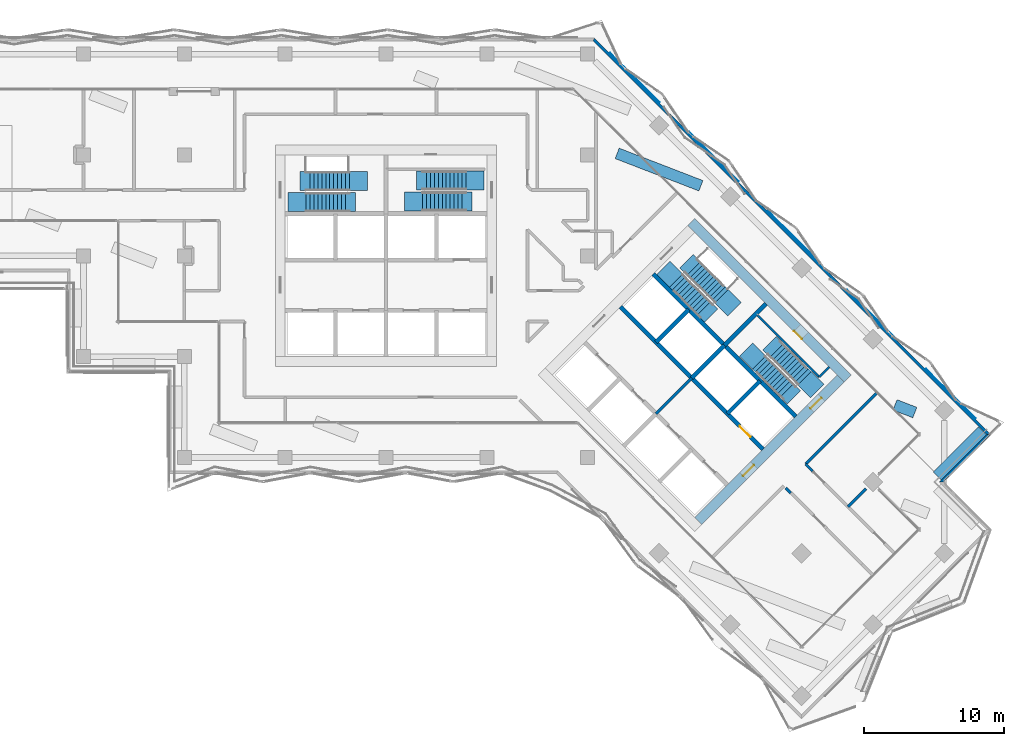
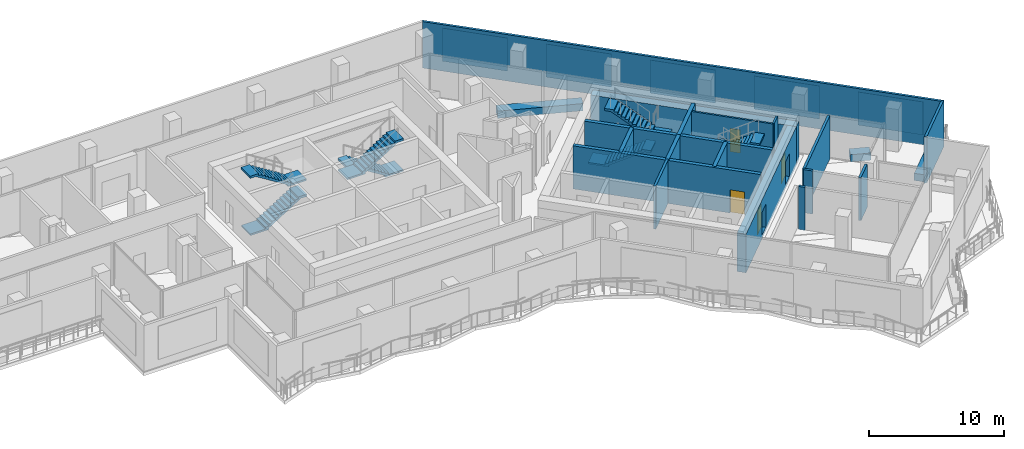
# One storey, part 13 of 23: 21 walls, 8 stair flights, 5 plates, 4 doors, 4 openings, 4 elements without a shape of their own.
"""IFC4 building model written with IfcOpenShell, lengths in metres."""

from ifc_helpers import new_model, si_unit, direction, frame, frame_2d, origin, place, context, subcontext, project, spatial, polyline, rectangle, outline, extrude, material, layer, layer_set, type_object, element, fill, aggregate, save


model = new_model("IFC4")

# Units and contexts
model_context = context("Model", 3, precision=1e-05, world=origin(), true_north=direction((0.0, 1.0)))
body_context = subcontext(model_context, "Body", "Model", "MODEL_VIEW")
ifc_project = project(units=[si_unit("LENGTHUNIT", "METRE"), si_unit("AREAUNIT", "SQUARE_METRE"), si_unit("VOLUMEUNIT", "CUBIC_METRE"), si_unit("PLANEANGLEUNIT", "RADIAN"), si_unit("MASSUNIT", "GRAM", prefix="KILO")], contexts=[model_context])

# Plate
ifc_material_1 = material(Name="Aluminium louvre", Category="aluminium")
ifc_layer_1 = layer(ifc_material_1, 0.05)
ifc_layer_set_1 = layer_set([ifc_layer_1], Name="Belt louvre panel 5000x3000")
plate_type = type_object("IfcPlateType", Name="Belt louvre panel 5000x3000", PredefinedType="SHEET", material=ifc_layer_set_1)
site_placement = place(None, origin())
building_placement = place(site_placement, origin())
storey_placement = place(building_placement, frame((0.0, 0.0, 122.0)))
plate_1_placement = place(storey_placement, frame((106.8914, 46.0057, 0.75), z_axis=(0.7070967812, 0.7071167811, 0.0), x_axis=(-0.7071167811, 0.7070967812, 0.0)))
plate_1 = element("IfcPlate", 1, at=plate_1_placement, type_object=plate_type, Name="Belt louvre panel L33 5.1", PredefinedType="SHEET", context=body_context, shape_type="SweptSolid", body=[
    extrude(outline(polyline([(0.0, 0.0), (5.0, 0.0), (5.0, 3.0), (0.0, 3.0), (0.0, 0.0)])), origin(), (0.0, 0.0, -1.0), 0.05),
])

plate_2_placement = place(storey_placement, frame((101.2508, 51.6463, 0.75), z_axis=(0.7070967812, 0.7071167811, 0.0), x_axis=(-0.7071167811, 0.7070967812, 0.0)))
plate_2 = element("IfcPlate", 2, at=plate_2_placement, type_object=plate_type, Name="Belt louvre panel L33 6.2", PredefinedType="SHEET", context=body_context, shape_type="SweptSolid", body=[
    extrude(outline(polyline([(0.0, 0.0), (5.0, 0.0), (5.0, 3.0), (0.0, 3.0), (0.0, 0.0)])), origin(), (0.0, 0.0, -1.0), 0.05),
])

plate_3_placement = place(storey_placement, frame((95.6102, 57.2869, 0.75), z_axis=(0.7070967812, 0.7071167811, 0.0), x_axis=(-0.7071167811, 0.7070967812, 0.0)))
plate_3 = element("IfcPlate", 3, at=plate_3_placement, type_object=plate_type, Name="Belt louvre panel L33 7.3", PredefinedType="SHEET", context=body_context, shape_type="SweptSolid", body=[
    extrude(outline(polyline([(0.0, 0.0), (5.0, 0.0), (5.0, 3.0), (0.0, 3.0), (0.0, 0.0)])), origin(), (0.0, 0.0, -1.0), 0.05),
])

plate_4_placement = place(storey_placement, frame((89.9697, 62.9274, 0.75), z_axis=(0.7070967812, 0.7071167811, 0.0), x_axis=(-0.7071167811, 0.7070967812, 0.0)))
plate_4 = element("IfcPlate", 4, at=plate_4_placement, type_object=plate_type, Name="Belt louvre panel L33 8.4", PredefinedType="SHEET", context=body_context, shape_type="SweptSolid", body=[
    extrude(outline(polyline([(0.0, 0.0), (5.0, 0.0), (5.0, 3.0), (0.0, 3.0), (0.0, 0.0)])), origin(), (0.0, 0.0, -1.0), 0.05),
])

plate_5_placement = place(storey_placement, frame((84.3291, 68.568, 0.75), z_axis=(0.7070967812, 0.7071167811, 0.0), x_axis=(-0.7071167811, 0.7070967812, 0.0)))
plate_5 = element("IfcPlate", 5, at=plate_5_placement, type_object=plate_type, Name="Belt louvre panel L33 9.5", PredefinedType="SHEET", context=body_context, shape_type="SweptSolid", body=[
    extrude(outline(polyline([(0.0, 0.0), (5.0, 0.0), (5.0, 3.0), (0.0, 3.0), (0.0, 0.0)])), origin(), (0.0, 0.0, -1.0), 0.05),
])

# Site, building, storey
site = spatial("IfcSite", under=ifc_project, at=site_placement, CompositionType="ELEMENT")
building = spatial("IfcBuilding", under=site, at=building_placement, Name="Windrow Commons", CompositionType="ELEMENT")
storey = spatial("IfcBuildingStorey", under=building, at=storey_placement, Name="L33", CompositionType="ELEMENT", Elevation=122.0)

# Wall
ifc_material_2 = material(Name="Concrete C40/50 precast screen panel", Category="concrete")
ifc_layer_2 = layer(ifc_material_2, 0.2)
ifc_layer_set_2 = layer_set([ifc_layer_2], Name="Belt screen wall 200")
wall_type_1 = type_object("IfcWallType", Name="Belt screen wall 200", PredefinedType="SOLIDWALL", material=ifc_layer_set_2)
wall_1_placement = place(storey_placement, frame((104.4437, 41.453, 0.0), z_axis=(0.0, 0.0, 1.0), x_axis=(0.7071067812, 0.7071067812, 0.0)))
element("IfcWall", 6, at=wall_1_placement, inside=storey, type_object=wall_type_1, Name="Belt screen wall L33 3", PredefinedType="SOLIDWALL", context=body_context, shape_type="SweptSolid", body=[
    extrude(outline(polyline([(0.1, -0.1), (4.9, -0.1), (4.7, 0.1), (-0.1, 0.1), (0.1, -0.1)])), origin(), (0.0, 0.0, 1.0), 4.2),
])

wall_2_placement = place(storey_placement, frame((107.8378, 44.8471, 0.0), z_axis=(0.0, 0.0, 1.0), x_axis=(-0.7071067812, 0.7071067812, 0.0)))
wall_2 = element("IfcWall", 7, at=wall_2_placement, inside=storey, type_object=wall_type_1, Name="Belt screen wall L33 5", PredefinedType="SOLIDWALL", context=body_context, shape_type="SweptSolid", body=[
    extrude(outline(polyline([(-0.1, -0.1), (39.9263, -0.1), (39.8435, 0.1), (0.1, 0.1), (-0.1, -0.1)])), origin(), (0.0, 0.0, 1.0), 4.2),
])

aggregate(wall_2, [plate_1, plate_2, plate_3, plate_4, plate_5])

# Walls
ifc_material_3 = material(Name="Blockwork partition", Category="masonry")
ifc_layer_3 = layer(ifc_material_3, 0.2)
ifc_layer_set_3 = layer_set([ifc_layer_3], Name="Fire lobby partition 200")
wall_type_2 = type_object("IfcWallType", Name="Fire lobby partition 200", PredefinedType="PARTITIONING", material=ifc_layer_set_3)
wall_3_placement = place(storey_placement, frame((84.079, 46.332, 0.0), z_axis=(0.0, 0.0, 1.0), x_axis=(0.7071067812, 0.7071067812, 0.0)))
element("IfcWall", 8, at=wall_3_placement, inside=storey, type_object=wall_type_2, Name="W-core-lobby-B-L33", PredefinedType="PARTITIONING", context=body_context, shape_type="SweptSolid", body=[
    extrude(rectangle(XDim=3.6, YDim=0.2, at=frame_2d((1.8, 0.0))), origin(), (0.0, 0.0, 1.0), 3.9),
])
ifc_material_4 = material(Name="Blockwork partition", Category="masonry")
ifc_layer_4 = layer(ifc_material_4, 0.2)
ifc_layer_set_4 = layer_set([ifc_layer_4], Name="IW-CORRIDOR-200")
wall_type_3 = type_object("IfcWallType", Name="IW-CORRIDOR-200", PredefinedType="PARTITIONING", material=ifc_layer_set_4)
wall_4_placement = place(storey_placement, frame((94.757, 42.727, 0.0), z_axis=(0.0, 0.0, 1.0), x_axis=(0.7069672711, 0.7072462637, 0.0)))
element("IfcWall", 9, at=wall_4_placement, inside=storey, type_object=wall_type_3, Name="W-L33-W010", PredefinedType="PARTITIONING", context=body_context, shape_type="SweptSolid", body=[
    extrude(rectangle(XDim=7.1686, YDim=0.2, at=frame_2d((3.5843, 0.0))), origin(), (0.0, 0.0, 1.0), 3.9),
])
wall_5_placement = place(storey_placement, frame((94.758, 42.726, 0.0), z_axis=(0.0, 0.0, 1.0), x_axis=(0.7056768426, -0.7085338339, 0.0)))
element("IfcWall", 10, at=wall_5_placement, inside=storey, type_object=wall_type_3, Name="W-L33-W057", PredefinedType="PARTITIONING", context=body_context, shape_type="SweptSolid", body=[
    extrude(rectangle(XDim=0.7, YDim=0.2, at=frame_2d((0.35, 0.0))), origin(), (0.0, 0.0, 1.0), 3.9),
])
wall_6_placement = place(storey_placement, frame((93.3429, 41.0289, 0.0), z_axis=(0.0, 0.0, 1.0), x_axis=(0.7091070712, -0.7051008166, 0.0)))
element("IfcWall", 11, at=wall_6_placement, inside=storey, type_object=wall_type_3, Name="W-L33-W064", PredefinedType="PARTITIONING", context=body_context, shape_type="SweptSolid", body=[
    extrude(rectangle(XDim=0.4992, YDim=0.2, at=frame_2d((0.2496, 0.0))), origin(), (0.0, 0.0, 1.0), 3.9),
])
ifc_material_5 = material(Name="Blockwork partition", Category="masonry")
ifc_layer_5 = layer(ifc_material_5, 0.2)
ifc_layer_set_5 = layer_set([ifc_layer_5], Name="IW-PARTY-200")
wall_type_4 = type_object("IfcWallType", Name="IW-PARTY-200", PredefinedType="PARTITIONING", material=ifc_layer_set_5)
wall_7_placement = place(storey_placement, frame((97.796, 39.686, 0.0), z_axis=(0.0, 0.0, 1.0), x_axis=(0.7071067812, 0.7071067812, 0.0)))
element("IfcWall", 12, at=wall_7_placement, inside=storey, type_object=wall_type_4, Name="W-L33-W038", PredefinedType="PARTITIONING", context=body_context, shape_type="SweptSolid", body=[
    extrude(rectangle(XDim=1.7932, YDim=0.2, at=frame_2d((0.8966, 0.0))), origin(), (0.0, 0.0, 1.0), 3.9),
])
ifc_material_6 = material(Name="Concrete C30/37 planter wall", Category="concrete")
ifc_layer_6 = layer(ifc_material_6, 0.8)
ifc_layer_set_6 = layer_set([ifc_layer_6], Name="Planter 800x600")
wall_type_5 = type_object("IfcWallType", Name="Planter 800x600", PredefinedType="SOLIDWALL", material=ifc_layer_set_6)
wall_8_placement = place(storey_placement, frame((104.1608, 41.8772, 0.0), z_axis=(0.0, 0.0, 1.0), x_axis=(0.7071177646, 0.7070957976, 0.0)))
element("IfcWall", 13, at=wall_8_placement, inside=storey, type_object=wall_type_5, Name="PLANTER TR-L33-1.8", PredefinedType="SOLIDWALL", context=body_context, shape_type="SweptSolid", body=[
    extrude(rectangle(XDim=4.5523, YDim=0.8, at=frame_2d((2.2761, 0.0))), origin(), (0.0, 0.0, 1.0), 0.65),
])
wall_9_placement = place(storey_placement, frame((87.2823, 62.5985, 0.0), z_axis=(0.0, 0.0, 1.0), x_axis=(-0.9328056398, 0.360379853, 0.0)))
element("IfcWall", 14, at=wall_9_placement, inside=storey, type_object=wall_type_5, Name="PLANTER TR-L33-1 bed 2", PredefinedType="SOLIDWALL", context=body_context, shape_type="SweptSolid", body=[
    extrude(rectangle(XDim=6.4132, YDim=0.8, at=frame_2d((3.2066, 0.0))), origin(), (0.0, 0.0, 1.0), 0.65),
])
wall_10_placement = place(storey_placement, frame((102.5558, 46.4066, 0.0), z_axis=(0.0, 0.0, 1.0), x_axis=(-0.9328142082, 0.3603576737, 0.0)))
element("IfcWall", 15, at=wall_10_placement, inside=storey, type_object=wall_type_5, Name="PLANTER TR-L33-1 bed 5", PredefinedType="SOLIDWALL", context=body_context, shape_type="SweptSolid", body=[
    extrude(rectangle(XDim=1.521, YDim=0.8, at=frame_2d((0.7605, 0.0))), origin(), (0.0, 0.0, 1.0), 0.65),
])

# Wall, opening, door
ifc_material_7 = material(Name="Concrete C50/60", Category="concrete")
ifc_layer_7 = layer(ifc_material_7, 0.7)
ifc_layer_set_7 = layer_set([ifc_layer_7], Name="RC CORE WALL 700 C50/60")
wall_type_6 = type_object("IfcWallType", Name="RC CORE WALL 700 C50/60", PredefinedType="SHEAR", material=ifc_layer_set_7)
wall_11_placement = place(storey_placement, frame((86.5893, 60.0145, -0.3), z_axis=(0.0, 0.0, 1.0), x_axis=(0.7071099457, -0.7071036166, 0.0)))
wall_11 = element("IfcWall", 16, at=wall_11_placement, inside=storey, type_object=wall_type_6, Name="Core B wall outer-N", PredefinedType="SHEAR", context=body_context, shape_type="SweptSolid", body=[
    extrude(rectangle(XDim=15.7999, YDim=0.7, at=frame_2d((7.8999, 0.0))), origin(), (0.0, 0.0, 1.0), 3.5),
])
opening_1_placement = place(wall_11_placement, frame((10.7, 0.0, 0.3)))
opening_1 = element("IfcOpeningElement", 17, at=opening_1_placement, cuts=wall_11, Name="Opening D9", PredefinedType="OPENING", context=body_context, shape_type="SweptSolid", body=[
    extrude(rectangle(XDim=0.8, YDim=2.1, at=frame_2d((0.4, 1.05))), frame((0.0, 0.36, 0.0), z_axis=(0.0, -1.0, 0.0), x_axis=(1.0, 0.0, 0.0)), (0.0, 0.0, 1.0), 0.72),
])
ifc_material_8 = material(Name="Steel fire door leaf", Category="steel")
door_type_1 = type_object("IfcDoorType", Name="Riser access door 800", OperationType="SINGLE_SWING_LEFT", PredefinedType="DOOR", material=ifc_material_8)
door_1_placement = place(opening_1_placement, origin())
door_1 = element("IfcDoor", 18, at=door_1_placement, inside=storey, type_object=door_type_1, Name="Riser access door", OperationType="SINGLE_SWING_RIGHT", OverallHeight=2.1, OverallWidth=0.8, PredefinedType="DOOR", context=body_context, shape_type="SweptSolid", body=[
    extrude(rectangle(XDim=0.8, YDim=2.1, at=frame_2d((0.4, 1.05))), frame((0.0, -0.29, 0.0), z_axis=(0.0, -1.0, 0.0), x_axis=(1.0, 0.0, 0.0)), (0.0, 0.0, 1.0), 0.05),
])
fill(opening_1, door_1)

# Wall, openings, doors
wall_12_placement = place(storey_placement, frame((87.0842, 38.6599, -0.3), z_axis=(0.0, 0.0, 1.0), x_axis=(0.7071067812, 0.7071067812, 0.0)))
wall_12 = element("IfcWall", 19, at=wall_12_placement, inside=storey, type_object=wall_type_6, Name="Core B wall outer-E", PredefinedType="SHEAR", context=body_context, shape_type="SweptSolid", body=[
    extrude(rectangle(XDim=14.4001, YDim=0.7, at=frame_2d((7.2001, 0.0))), origin(), (0.0, 0.0, 1.0), 3.5),
])
opening_2_placement = place(wall_12_placement, frame((4.55, 0.0, 0.3)))
opening_2 = element("IfcOpeningElement", 20, at=opening_2_placement, cuts=wall_12, Name="Opening D6", PredefinedType="OPENING", context=body_context, shape_type="SweptSolid", body=[
    extrude(rectangle(XDim=1.1, YDim=2.1, at=frame_2d((0.55, 1.05))), frame((0.0, 0.36, 0.0), z_axis=(0.0, -1.0, 0.0), x_axis=(1.0, 0.0, 0.0)), (0.0, 0.0, 1.0), 0.72),
])
opening_3_placement = place(wall_12_placement, frame((11.35, 0.0, 0.3)))
opening_3 = element("IfcOpeningElement", 21, at=opening_3_placement, cuts=wall_12, Name="Opening D7", PredefinedType="OPENING", context=body_context, shape_type="SweptSolid", body=[
    extrude(rectangle(XDim=1.1, YDim=2.1, at=frame_2d((0.55, 1.05))), frame((0.0, 0.36, 0.0), z_axis=(0.0, -1.0, 0.0), x_axis=(1.0, 0.0, 0.0)), (0.0, 0.0, 1.0), 0.72),
])
ifc_material_9 = material(Name="Steel fire door leaf", Category="steel")
door_type_2 = type_object("IfcDoorType", Name="Core lobby door 1100", OperationType="SINGLE_SWING_LEFT", PredefinedType="DOOR", material=ifc_material_9)
door_2_placement = place(opening_2_placement, origin())
door_2 = element("IfcDoor", 22, at=door_2_placement, inside=storey, type_object=door_type_2, Name="Lift lobby door", OperationType="DOUBLE_DOOR_SINGLE_SWING", OverallHeight=2.1, OverallWidth=1.1, PredefinedType="DOOR", context=body_context, shape_type="SweptSolid", body=[
    extrude(rectangle(XDim=1.1, YDim=2.1, at=frame_2d((0.55, 1.05))), frame((0.0, 0.025, 0.0), z_axis=(0.0, -1.0, 0.0), x_axis=(1.0, 0.0, 0.0)), (0.0, 0.0, 1.0), 0.05),
])
fill(opening_2, door_2)
ifc_material_10 = material(Name="Steel fire door leaf", Category="steel")
door_type_3 = type_object("IfcDoorType", Name="Stair door 1100", OperationType="SINGLE_SWING_LEFT", PredefinedType="DOOR", material=ifc_material_10)
door_3_placement = place(opening_3_placement, origin())
door_3 = element("IfcDoor", 23, at=door_3_placement, inside=storey, type_object=door_type_3, Name="Stair door", OperationType="SINGLE_SWING_RIGHT", OverallHeight=2.1, OverallWidth=1.1, PredefinedType="DOOR", context=body_context, shape_type="SweptSolid", body=[
    extrude(rectangle(XDim=1.1, YDim=2.1, at=frame_2d((0.55, 1.05))), frame((0.0, 0.025, 0.0), z_axis=(0.0, -1.0, 0.0), x_axis=(1.0, 0.0, 0.0)), (0.0, 0.0, 1.0), 0.05),
])
fill(opening_3, door_3)

# Walls
ifc_material_11 = material(Name="Concrete C50/60", Category="concrete")
ifc_layer_8 = layer(ifc_material_11, 0.3)
ifc_layer_set_8 = layer_set([ifc_layer_8], Name="RC SHAFT WALL 300 C50/60")
wall_type_7 = type_object("IfcWallType", Name="RC SHAFT WALL 300 C50/60", PredefinedType="SOLIDWALL", material=ifc_layer_set_8)
wall_13_placement = place(storey_placement, frame((84.079, 51.4232, 0.0), z_axis=(0.0, 0.0, 1.0), x_axis=(0.7071219326, 0.7070916295, 0.0)))
element("IfcWall", 24, at=wall_13_placement, inside=storey, type_object=wall_type_7, Name="Core B wall shaft-N1", PredefinedType="SOLIDWALL", context=body_context, shape_type="SweptSolid", body=[
    extrude(rectangle(XDim=3.3, YDim=0.3, at=frame_2d((1.65, 0.0))), origin(), (0.0, 0.0, 1.0), 3.9),
])
for number, where, z_axis, x_axis, name in (
    (25, (86.6246, 48.8776, 0.0), (0.0, 0.0, 1.0), (0.7071067812, 0.7071067812, 0.0), "Core B wall shaft-N2"),
    (26, (89.1702, 46.332, 0.0), (0.0, 0.0, 1.0), (0.7071067812, 0.7071067812, 0.0), "Core B wall shaft-N3"),
):
    element("IfcWall", number, at=place(storey_placement, frame(where, z_axis=z_axis, x_axis=x_axis)), inside=storey, type_object=wall_type_7, Name=name, PredefinedType="SOLIDWALL", context=body_context, shape_type="SweptSolid", body=[
        extrude(rectangle(XDim=3.3001, YDim=0.3, at=frame_2d((1.6501, 0.0))), origin(), (0.0, 0.0, 1.0), 3.9),
    ])

# Wall, opening, door
wall_14_placement = place(storey_placement, frame((81.5335, 53.9688, 0.0), z_axis=(0.0, 0.0, 1.0), x_axis=(0.707103309, -0.7071102534, 0.0)))
wall_14 = element("IfcWall", 27, at=wall_14_placement, inside=storey, type_object=wall_type_7, Name="Core B wall lobby-N", PredefinedType="SOLIDWALL", context=body_context, shape_type="SweptSolid", body=[
    extrude(rectangle(XDim=14.4, YDim=0.3, at=frame_2d((7.2, 0.0))), origin(), (0.0, 0.0, 1.0), 3.9),
])
opening_4_placement = place(wall_14_placement, frame((12.05, 0.0, 0.0)))
opening_4 = element("IfcOpeningElement", 28, at=opening_4_placement, cuts=wall_14, Name="Opening LD", PredefinedType="OPENING", context=body_context, shape_type="SweptSolid", body=[
    extrude(rectangle(XDim=1.1, YDim=2.1, at=frame_2d((0.55, 1.05))), frame((0.0, 0.16, 0.0), z_axis=(0.0, -1.0, 0.0), x_axis=(1.0, 0.0, 0.0)), (0.0, 0.0, 1.0), 0.32),
])
ifc_material_12 = material(Name="Stainless steel door leaf", Category="steel")
door_type_4 = type_object("IfcDoorType", Name="Lift landing door 1100", OperationType="SLIDING_TO_LEFT", PredefinedType="DOOR", material=ifc_material_12)
door_4_placement = place(opening_4_placement, origin())
door_4 = element("IfcDoor", 29, at=door_4_placement, inside=storey, type_object=door_type_4, Name="Lift landing door", OperationType="SLIDING_TO_RIGHT", OverallHeight=2.1, OverallWidth=1.1, PredefinedType="DOOR", context=body_context, shape_type="SweptSolid", body=[
    extrude(rectangle(XDim=1.1, YDim=2.1, at=frame_2d((0.55, 1.05))), frame((0.0, 0.025, 0.0), z_axis=(0.0, -1.0, 0.0), x_axis=(1.0, 0.0, 0.0)), (0.0, 0.0, 1.0), 0.05),
])
fill(opening_4, door_4)

# Walls
for number, where, z_axis, x_axis, name in (
    (30, (83.8669, 56.3022, 0.0), (0.0, 0.0, 1.0), (0.7071137256, -0.7070998367, 0.0), "Core B wall stair-S"),
    (31, (88.9581, 51.2111, 0.0), (0.0, 0.0, 1.0), (0.7070998367, -0.7071137256, 0.0), "Core B wall stair-S2"),
):
    element("IfcWall", number, at=place(storey_placement, frame(where, z_axis=z_axis, x_axis=x_axis)), inside=storey, type_object=wall_type_7, Name=name, PredefinedType="SOLIDWALL", context=body_context, shape_type="SweptSolid", body=[
        extrude(rectangle(XDim=7.2, YDim=0.3, at=frame_2d((3.6, 0.0))), origin(), (0.0, 0.0, 1.0), 3.9),
    ])
wall_15_placement = place(storey_placement, frame((88.9581, 51.2111, 0.0), z_axis=(0.0, 0.0, 1.0), x_axis=(0.7071067812, 0.7071067812, 0.0)))
element("IfcWall", 32, at=wall_15_placement, inside=storey, type_object=wall_type_7, Name="Core B wall stair-mid", PredefinedType="SOLIDWALL", context=body_context, shape_type="SweptSolid", body=[
    extrude(rectangle(XDim=4.1999, YDim=0.3, at=frame_2d((2.1, 0.0))), origin(), (0.0, 0.0, 1.0), 3.9),
])
ifc_material_13 = material(Name="Blockwork partition", Category="masonry")
ifc_layer_9 = layer(ifc_material_13, 0.15)
ifc_layer_set_9 = layer_set([ifc_layer_9], Name="Riser partition 150")
wall_type_8 = type_object("IfcWallType", Name="Riser partition 150", PredefinedType="PARTITIONING", material=ifc_layer_set_9)
wall_16_placement = place(storey_placement, frame((91.3127, 53.3536, 0.0), z_axis=(0.0, 0.0, 1.0), x_axis=(0.7071147811, -0.7070987812, 0.0)))
element("IfcWall", 33, at=wall_16_placement, inside=storey, type_object=wall_type_8, Name="W-core-strip-B-L33", PredefinedType="PARTITIONING", context=body_context, shape_type="SweptSolid", body=[
    extrude(rectangle(XDim=6.25, YDim=0.15, at=frame_2d((3.125, 0.0))), origin(), (0.0, 0.0, 1.0), 3.9),
])
wall_17_placement = place(storey_placement, frame((95.7322, 48.9342, 0.0), z_axis=(0.0, 0.0, 1.0), x_axis=(0.7071067812, 0.7071067812, 0.0)))
element("IfcWall", 34, at=wall_17_placement, inside=storey, type_object=wall_type_8, Name="W-core-stripx-B-L33-1", PredefinedType="PARTITIONING", context=body_context, shape_type="SweptSolid", body=[
    extrude(rectangle(XDim=1.0199, YDim=0.15, at=frame_2d((0.51, 0.0))), origin(), (0.0, 0.0, 1.0), 3.9),
])

# Stair, stair flights
ifc_material_14 = material(Name="Concrete C40/50", Category="concrete")
stair_type = type_object("IfcStairType", Name="Core stair", PredefinedType="HALF_TURN_STAIR", material=ifc_material_14)
placement = place(storey_placement, origin())
stair_1 = element("IfcStair", 35, at=placement, inside=storey, type_object=stair_type, Name="L33 Exit stair A1 core A", PredefinedType="HALF_TURN_STAIR")
ifc_material_15 = material(Name="Concrete C40/50", Category="concrete")
stair_flight_type = type_object("IfcStairFlightType", Name="Core stair flight", PredefinedType="STRAIGHT", material=ifc_material_15)
stair_flight_1_placement = place(storey_placement, frame((59.1, 61.425, 0.0), z_axis=(0.0, 0.0, 1.0), x_axis=(1.0, 0.0, 0.0)))
stair_flight_1 = element("IfcStairFlight", 36, at=stair_flight_1_placement, type_object=stair_flight_type, Name="ST-A1 flight 1", NumberOfRisers=12, NumberOfTreads=11, PredefinedType="STRAIGHT", RiserHeight=0.175, TreadLength=0.28, context=body_context, shape_type="SweptSolid", body=[
    extrude(outline(polyline([(-1.3, -0.15), (-1.3, 0.0), (0.0, 0.0), (0.0, 0.175), (0.28, 0.175), (0.28, 0.35), (0.56, 0.35), (0.56, 0.525), (0.84, 0.525), (0.84, 0.7), (1.12, 0.7), (1.12, 0.875), (1.4, 0.875), (1.4, 1.05), (1.68, 1.05), (1.68, 1.225), (1.96, 1.225), (1.96, 1.4), (2.24, 1.4), (2.24, 1.575), (2.52, 1.575), (2.52, 1.75), (2.8, 1.75), (2.8, 1.925), (3.08, 1.925), (3.53, 1.925), (3.53, 1.725), (3.08, 1.725), (3.08, 1.7481), (0.283, 0.0), (0.283, -0.15), (-1.3, -0.15)])), frame((0.0, 0.675, 0.0), z_axis=(0.0, -1.0, 0.0), x_axis=(1.0, 0.0, 0.0)), (0.0, 0.0, 1.0), 1.35),
])
stair_flight_2_placement = place(storey_placement, frame((62.18, 62.925, 2.1), z_axis=(0.0, 0.0, 1.0), x_axis=(-1.0, 0.0, 0.0)))
stair_flight_2 = element("IfcStairFlight", 37, at=stair_flight_2_placement, type_object=stair_flight_type, Name="ST-A1 flight 2", NumberOfRisers=12, NumberOfTreads=11, PredefinedType="STRAIGHT", RiserHeight=0.175, TreadLength=0.28, context=body_context, shape_type="SweptSolid", body=[
    extrude(outline(polyline([(-1.3, -0.15), (-1.3, 0.0), (0.0, 0.0), (0.0, 0.175), (0.28, 0.175), (0.28, 0.35), (0.56, 0.35), (0.56, 0.525), (0.84, 0.525), (0.84, 0.7), (1.12, 0.7), (1.12, 0.875), (1.4, 0.875), (1.4, 1.05), (1.68, 1.05), (1.68, 1.225), (1.96, 1.225), (1.96, 1.4), (2.24, 1.4), (2.24, 1.575), (2.52, 1.575), (2.52, 1.75), (2.8, 1.75), (2.8, 1.925), (3.08, 1.925), (3.53, 1.925), (3.53, 1.725), (3.08, 1.725), (3.08, 1.7481), (0.283, 0.0), (0.283, -0.15), (-1.3, -0.15)])), frame((0.0, 0.675, 0.0), z_axis=(0.0, -1.0, 0.0), x_axis=(1.0, 0.0, 0.0)), (0.0, 0.0, 1.0), 1.35),
])
aggregate(stair_1, [stair_flight_1, stair_flight_2])

stair_2 = element("IfcStair", 38, at=placement, inside=storey, type_object=stair_type, Name="L33 Exit stair A2 core A", PredefinedType="HALF_TURN_STAIR")
stair_flight_3_placement = place(storey_placement, frame((70.5, 62.98, 0.0), z_axis=(0.0, 0.0, 1.0), x_axis=(-1.0, 0.0, 0.0)))
stair_flight_3 = element("IfcStairFlight", 39, at=stair_flight_3_placement, type_object=stair_flight_type, Name="ST-A2 flight 1", NumberOfRisers=12, NumberOfTreads=11, PredefinedType="STRAIGHT", RiserHeight=0.175, TreadLength=0.28, context=body_context, shape_type="SweptSolid", body=[
    extrude(outline(polyline([(-1.3, -0.15), (-1.3, 0.0), (0.0, 0.0), (0.0, 0.175), (0.28, 0.175), (0.28, 0.35), (0.56, 0.35), (0.56, 0.525), (0.84, 0.525), (0.84, 0.7), (1.12, 0.7), (1.12, 0.875), (1.4, 0.875), (1.4, 1.05), (1.68, 1.05), (1.68, 1.225), (1.96, 1.225), (1.96, 1.4), (2.24, 1.4), (2.24, 1.575), (2.52, 1.575), (2.52, 1.75), (2.8, 1.75), (2.8, 1.925), (3.08, 1.925), (3.53, 1.925), (3.53, 1.725), (3.08, 1.725), (3.08, 1.7481), (0.283, 0.0), (0.283, -0.15), (-1.3, -0.15)])), frame((0.0, 0.675, 0.0), z_axis=(0.0, -1.0, 0.0), x_axis=(1.0, 0.0, 0.0)), (0.0, 0.0, 1.0), 1.35),
])
stair_flight_4_placement = place(storey_placement, frame((67.42, 61.48, 2.1), z_axis=(0.0, 0.0, 1.0), x_axis=(1.0, 0.0, 0.0)))
stair_flight_4 = element("IfcStairFlight", 40, at=stair_flight_4_placement, type_object=stair_flight_type, Name="ST-A2 flight 2", NumberOfRisers=12, NumberOfTreads=11, PredefinedType="STRAIGHT", RiserHeight=0.175, TreadLength=0.28, context=body_context, shape_type="SweptSolid", body=[
    extrude(outline(polyline([(-1.3, -0.15), (-1.3, 0.0), (0.0, 0.0), (0.0, 0.175), (0.28, 0.175), (0.28, 0.35), (0.56, 0.35), (0.56, 0.525), (0.84, 0.525), (0.84, 0.7), (1.12, 0.7), (1.12, 0.875), (1.4, 0.875), (1.4, 1.05), (1.68, 1.05), (1.68, 1.225), (1.96, 1.225), (1.96, 1.4), (2.24, 1.4), (2.24, 1.575), (2.52, 1.575), (2.52, 1.75), (2.8, 1.75), (2.8, 1.925), (3.08, 1.925), (3.53, 1.925), (3.53, 1.725), (3.08, 1.725), (3.08, 1.7481), (0.283, 0.0), (0.283, -0.15), (-1.3, -0.15)])), frame((0.0, 0.675, 0.0), z_axis=(0.0, -1.0, 0.0), x_axis=(1.0, 0.0, 0.0)), (0.0, 0.0, 1.0), 1.35),
])
aggregate(stair_2, [stair_flight_3, stair_flight_4])

stair_3 = element("IfcStair", 41, at=placement, inside=storey, type_object=stair_type, Name="L33 Exit stair B1 core B", PredefinedType="HALF_TURN_STAIR")
stair_flight_5_placement = place(storey_placement, frame((85.5109, 55.8249, 0.0), z_axis=(0.0, 0.0, 1.0), x_axis=(0.7071067812, -0.7071067812, 0.0)))
stair_flight_5 = element("IfcStairFlight", 42, at=stair_flight_5_placement, type_object=stair_flight_type, Name="ST-B1 flight 1", NumberOfRisers=12, NumberOfTreads=11, PredefinedType="STRAIGHT", RiserHeight=0.175, TreadLength=0.28, context=body_context, shape_type="SweptSolid", body=[
    extrude(outline(polyline([(-1.3, -0.15), (-1.3, 0.0), (0.0, 0.0), (0.0, 0.175), (0.28, 0.175), (0.28, 0.35), (0.56, 0.35), (0.56, 0.525), (0.84, 0.525), (0.84, 0.7), (1.12, 0.7), (1.12, 0.875), (1.4, 0.875), (1.4, 1.05), (1.68, 1.05), (1.68, 1.225), (1.96, 1.225), (1.96, 1.4), (2.24, 1.4), (2.24, 1.575), (2.52, 1.575), (2.52, 1.75), (2.8, 1.75), (2.8, 1.925), (3.08, 1.925), (3.53, 1.925), (3.53, 1.725), (3.08, 1.725), (3.08, 1.7481), (0.283, 0.0), (0.283, -0.15), (-1.3, -0.15)])), frame((0.0, 0.675, 0.0), z_axis=(0.0, -1.0, 0.0), x_axis=(1.0, 0.0, 0.0)), (0.0, 0.0, 1.0), 1.35),
])
stair_flight_6_placement = place(storey_placement, frame((88.7495, 54.7077, 2.1), z_axis=(0.0, 0.0, 1.0), x_axis=(-0.7071067812, 0.7071067812, 0.0)))
stair_flight_6 = element("IfcStairFlight", 43, at=stair_flight_6_placement, type_object=stair_flight_type, Name="ST-B1 flight 2", NumberOfRisers=12, NumberOfTreads=11, PredefinedType="STRAIGHT", RiserHeight=0.175, TreadLength=0.28, context=body_context, shape_type="SweptSolid", body=[
    extrude(outline(polyline([(-1.3, -0.15), (-1.3, 0.0), (0.0, 0.0), (0.0, 0.175), (0.28, 0.175), (0.28, 0.35), (0.56, 0.35), (0.56, 0.525), (0.84, 0.525), (0.84, 0.7), (1.12, 0.7), (1.12, 0.875), (1.4, 0.875), (1.4, 1.05), (1.68, 1.05), (1.68, 1.225), (1.96, 1.225), (1.96, 1.4), (2.24, 1.4), (2.24, 1.575), (2.52, 1.575), (2.52, 1.75), (2.8, 1.75), (2.8, 1.925), (3.08, 1.925), (3.53, 1.925), (3.53, 1.725), (3.08, 1.725), (3.08, 1.7481), (0.283, 0.0), (0.283, -0.15), (-1.3, -0.15)])), frame((0.0, 0.675, 0.0), z_axis=(0.0, -1.0, 0.0), x_axis=(1.0, 0.0, 0.0)), (0.0, 0.0, 1.0), 1.35),
])
aggregate(stair_3, [stair_flight_5, stair_flight_6])

stair_4 = element("IfcStair", 44, at=placement, inside=storey, type_object=stair_type, Name="L33 Exit stair B2 core B", PredefinedType="HALF_TURN_STAIR")
stair_flight_7_placement = place(storey_placement, frame((94.6715, 48.8635, 0.0), z_axis=(0.0, 0.0, 1.0), x_axis=(-0.7071067812, 0.7071067812, 0.0)))
stair_flight_7 = element("IfcStairFlight", 45, at=stair_flight_7_placement, type_object=stair_flight_type, Name="ST-B2 flight 1", NumberOfRisers=12, NumberOfTreads=11, PredefinedType="STRAIGHT", RiserHeight=0.175, TreadLength=0.28, context=body_context, shape_type="SweptSolid", body=[
    extrude(outline(polyline([(-1.3, -0.15), (-1.3, 0.0), (0.0, 0.0), (0.0, 0.175), (0.28, 0.175), (0.28, 0.35), (0.56, 0.35), (0.56, 0.525), (0.84, 0.525), (0.84, 0.7), (1.12, 0.7), (1.12, 0.875), (1.4, 0.875), (1.4, 1.05), (1.68, 1.05), (1.68, 1.225), (1.96, 1.225), (1.96, 1.4), (2.24, 1.4), (2.24, 1.575), (2.52, 1.575), (2.52, 1.75), (2.8, 1.75), (2.8, 1.925), (3.08, 1.925), (3.53, 1.925), (3.53, 1.725), (3.08, 1.725), (3.08, 1.7481), (0.283, 0.0), (0.283, -0.15), (-1.3, -0.15)])), frame((0.0, 0.675, 0.0), z_axis=(0.0, -1.0, 0.0), x_axis=(1.0, 0.0, 0.0)), (0.0, 0.0, 1.0), 1.35),
])
stair_flight_8_placement = place(storey_placement, frame((91.4329, 49.9807, 2.1), z_axis=(0.0, 0.0, 1.0), x_axis=(0.7071067812, -0.7071067812, 0.0)))
stair_flight_8 = element("IfcStairFlight", 46, at=stair_flight_8_placement, type_object=stair_flight_type, Name="ST-B2 flight 2", NumberOfRisers=12, NumberOfTreads=11, PredefinedType="STRAIGHT", RiserHeight=0.175, TreadLength=0.28, context=body_context, shape_type="SweptSolid", body=[
    extrude(outline(polyline([(-1.3, -0.15), (-1.3, 0.0), (0.0, 0.0), (0.0, 0.175), (0.28, 0.175), (0.28, 0.35), (0.56, 0.35), (0.56, 0.525), (0.84, 0.525), (0.84, 0.7), (1.12, 0.7), (1.12, 0.875), (1.4, 0.875), (1.4, 1.05), (1.68, 1.05), (1.68, 1.225), (1.96, 1.225), (1.96, 1.4), (2.24, 1.4), (2.24, 1.575), (2.52, 1.575), (2.52, 1.75), (2.8, 1.75), (2.8, 1.925), (3.08, 1.925), (3.53, 1.925), (3.53, 1.725), (3.08, 1.725), (3.08, 1.7481), (0.283, 0.0), (0.283, -0.15), (-1.3, -0.15)])), frame((0.0, 0.675, 0.0), z_axis=(0.0, -1.0, 0.0), x_axis=(1.0, 0.0, 0.0)), (0.0, 0.0, 1.0), 1.35),
])
aggregate(stair_4, [stair_flight_7, stair_flight_8])

save(model, "model.ifc")
